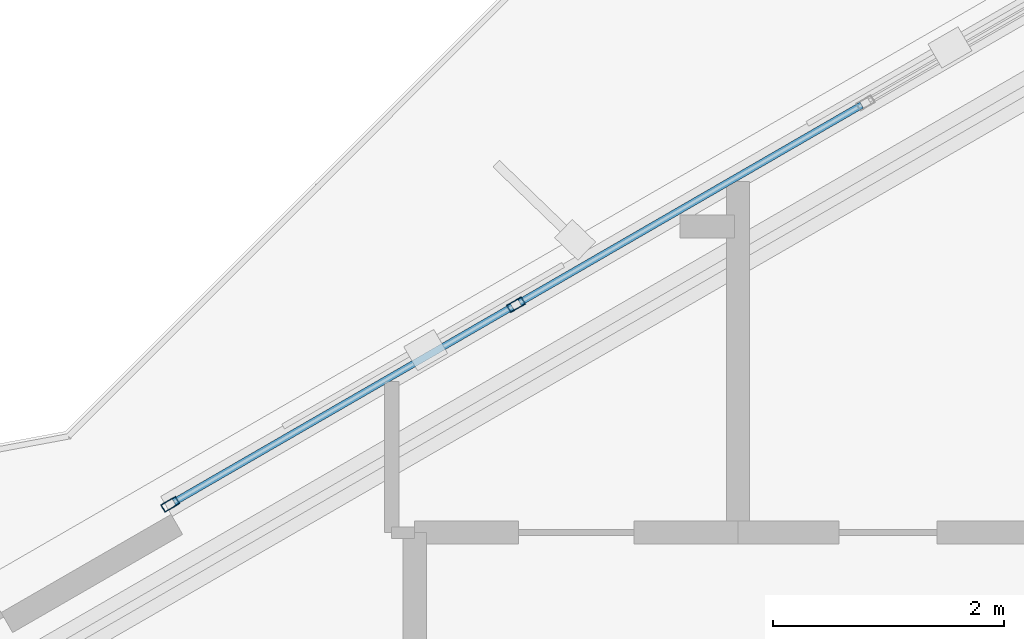
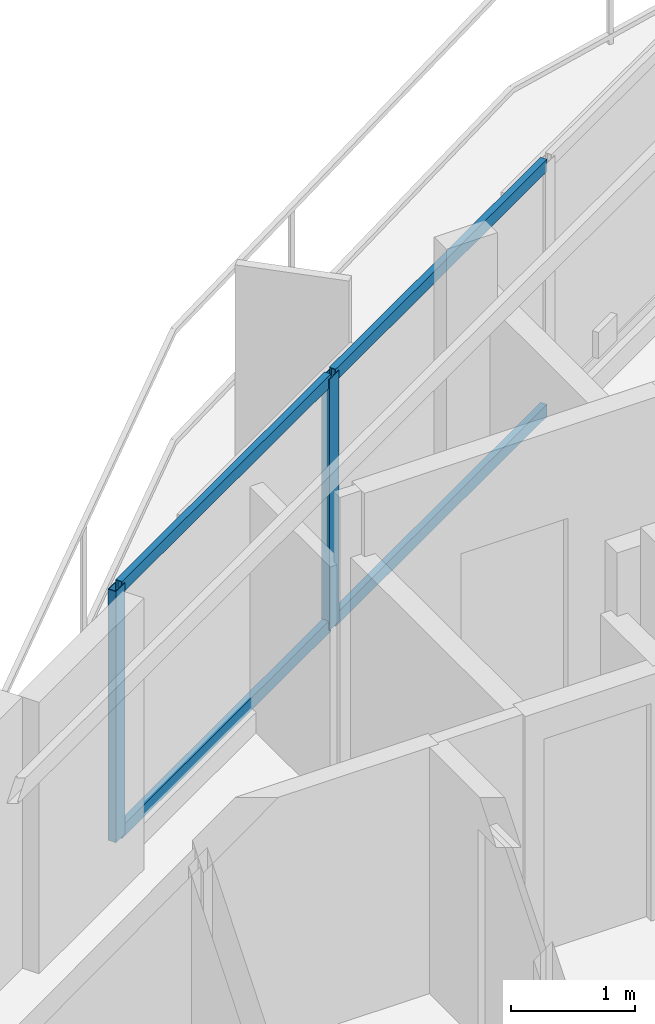
# One storey, part 5 of 19: 6 members, 1 element without a shape of its own.
"""IFC4 building model written with IfcOpenShell, lengths in metres."""

import ifcopenshell
import ifcopenshell.guid

model = None  # the IFC model being written
_history = None  # IfcOwnerHistory: only IFC2X3 demands one
_inside = {}  # id of a spatial element -> (the spatial element, [elements in it])
_under = {}  # id of a project, library or spatial element -> (it, [spatial elements below it])
_declared = {}  # id of a project -> (the project, [libraries it declares])
_typed = {}  # id of a type object -> (the type object, [elements of that type])
_made_of = {}  # id of a material, layer set ... -> (it, [elements and type objects made of it])


def new_model(schema):
    """Start an empty IFC model of exactly this schema.

    Asked for "IFC4X3", IfcOpenShell would pick the latest addendum, in which some entities
    have other attributes; the version numbers below select the first issue.
    IFC2X3 requires an IfcOwnerHistory on every rooted entity: one is made here for all.
    """
    global model, _history
    if schema == "IFC4X3":
        model = ifcopenshell.file(schema_version=(4, 3, 0, 0))
    else:
        model = ifcopenshell.file(schema=schema)
    _inside.clear()
    _under.clear()
    _declared.clear()
    _typed.clear()
    _made_of.clear()
    _history = None
    if model.schema == "IFC2X3":
        org = make("IfcOrganization", Name="unknown")
        user = make(
            "IfcPersonAndOrganization",
            ThePerson=make("IfcPerson", FamilyName="unknown"),
            TheOrganization=org,
        )
        app = make(
            "IfcApplication",
            ApplicationDeveloper=org,
            Version="unknown",
            ApplicationFullName="unknown",
            ApplicationIdentifier="unknown",
        )
        _history = make(
            "IfcOwnerHistory",
            OwningUser=user,
            OwningApplication=app,
            ChangeAction="ADDED",
            CreationDate=0,
        )
    return model


def make(cls, **values):
    """One entity of the class cls with the attributes given. An attribute that is None is left unset."""
    return model.create_entity(
        cls, **{name: value for name, value in values.items() if value is not None}
    )


def rooted(cls, **values):
    """An entity with a GlobalId (a new one), such as an element, a storey or a relation."""
    return make(cls, GlobalId=ifcopenshell.guid.new(), OwnerHistory=_history, **values)


def si_unit(unit_type, name, prefix=None):
    """IfcSIUnit, for example si_unit("LENGTHUNIT", "METRE", prefix="MILLI")."""
    return make("IfcSIUnit", UnitType=unit_type, Prefix=prefix, Name=name)


def assignment(units):
    """IfcUnitAssignment: the units of a project."""
    return None if units is None else make("IfcUnitAssignment", Units=units)


def point(xyz):
    """IfcCartesianPoint."""
    return None if xyz is None else make("IfcCartesianPoint", Coordinates=xyz)


def direction(xyz):
    """IfcDirection."""
    return None if xyz is None else make("IfcDirection", DirectionRatios=xyz)


def frame(location, z_axis=None, x_axis=None):
    """IfcAxis2Placement3D, a coordinate frame: its origin and axes. An axis left out is left unset."""
    return make(
        "IfcAxis2Placement3D",
        Location=point(location),
        Axis=direction(z_axis),
        RefDirection=direction(x_axis),
    )


def frame_2d(location, x_axis=None):
    """IfcAxis2Placement2D, a coordinate frame in the plane: its origin and x axis."""
    return make(
        "IfcAxis2Placement2D", Location=point(location), RefDirection=direction(x_axis)
    )


def origin():
    """The frame at (0, 0, 0) with its axes left unset."""
    return frame((0.0, 0.0, 0.0))


def origin_2d():
    """The frame at (0, 0) in the plane with its x axis left unset."""
    return frame_2d((0.0, 0.0))


def place(relative_to, where):
    """IfcLocalPlacement: puts the frame where relative to a parent placement (None: the world)."""
    return make(
        "IfcLocalPlacement", PlacementRelTo=relative_to, RelativePlacement=where
    )


def context(
    kind, dimensions, precision=None, world=None, true_north=None, identifier=None
):
    """IfcGeometricRepresentationContext, for example the 3D "Model" context."""
    return make(
        "IfcGeometricRepresentationContext",
        ContextIdentifier=identifier,
        ContextType=kind,
        CoordinateSpaceDimension=dimensions,
        Precision=precision,
        WorldCoordinateSystem=world,
        TrueNorth=true_north,
    )


def subcontext(parent, identifier, kind, view, scale=None):
    """IfcGeometricRepresentationSubContext, for example "Body" below "Model"."""
    return make(
        "IfcGeometricRepresentationSubContext",
        ContextIdentifier=identifier,
        ContextType=kind,
        ParentContext=parent,
        TargetScale=scale,
        TargetView=view,
    )


def project(units=None, contexts=None):
    """IfcProject with its units and contexts."""
    return rooted(
        "IfcProject",
        Name="project",
        RepresentationContexts=contexts,
        UnitsInContext=assignment(units),
    )


def spatial(cls, under=None, at=None, **own):
    """A site, building, storey or space (cls), placed at a placement, below another one or the project."""
    s = rooted(cls, ObjectPlacement=at, **own)
    if under is not None:
        _under.setdefault(under.id(), (under, []))[1].append(s)
    return s


def profile(cls, at=None, kind="AREA", **sizes):
    """A parametric profile (cls). Its sizes go by their IFC names, for example OverallWidth=200.0."""
    return make(cls, ProfileType=kind, Position=at, **sizes)


def hollow_rectangle(**sizes):
    """IfcRectangleHollowProfileDef."""
    return profile("IfcRectangleHollowProfileDef", **sizes)


def extrude(swept, where, along, depth):
    """IfcExtrudedAreaSolid: the profile swept, set in the frame where, extruded along a direction by depth."""
    return make(
        "IfcExtrudedAreaSolid",
        SweptArea=swept,
        Position=where,
        ExtrudedDirection=direction(along),
        Depth=depth,
    )


def shape(context_of_items, identifier, shape_type, items):
    """IfcShapeRepresentation: the items that make up one representation, for example the "Body"."""
    return make(
        "IfcShapeRepresentation",
        ContextOfItems=context_of_items,
        RepresentationIdentifier=identifier,
        RepresentationType=shape_type,
        Items=items,
    )


def material(Name=None, Category=None):
    """IfcMaterial."""
    return make("IfcMaterial", Name=Name, Category=Category)


def layer(
    of_material, thickness, ventilated=None, Name=None, Category=None, Priority=None
):
    """IfcMaterialLayer: one layer of a wall or slab, of a material (None: an air gap)."""
    return make(
        "IfcMaterialLayer",
        Material=of_material,
        LayerThickness=thickness,
        IsVentilated=ventilated,
        Name=Name,
        Category=Category,
        Priority=Priority,
    )


def layer_set(layers, Name=None):
    """IfcMaterialLayerSet."""
    return make("IfcMaterialLayerSet", MaterialLayers=layers, LayerSetName=Name)


def material_profile(
    of_material, cross_section, Name=None, Category=None, Priority=None
):
    """IfcMaterialProfile: a cross section and its material."""
    return make(
        "IfcMaterialProfile",
        Name=Name,
        Material=of_material,
        Profile=cross_section,
        Priority=Priority,
        Category=Category,
    )


def profile_set(profiles, Name=None, composite=None):
    """IfcMaterialProfileSet."""
    return make(
        "IfcMaterialProfileSet",
        Name=Name,
        MaterialProfiles=profiles,
        CompositeProfile=composite,
    )


def made_of(thing, what):
    """Note that an element or type object is made of a material, layer set ...; save() writes the relation."""
    if what is not None:
        _made_of.setdefault(what.id(), (what, []))[1].append(thing)
    return thing


def type_object(cls, material=None, **own):
    """A type object (cls), such as IfcWallType, which elements share."""
    return made_of(rooted(cls, **own), material)


def element(
    cls,
    number,
    at=None,
    inside=None,
    cuts=None,
    type_object=None,
    material=None,
    context=None,
    identifier="Body",
    shape_type=None,
    held_by="IfcProductDefinitionShape",
    body=None,
    shapes=None,
    **own,
):
    """One element of the class cls, such as IfcWall. Its Tag is "e" and its number.

    at: its placement. inside: the storey or other place that contains it. cuts: it is an
    opening in that element (IfcRelVoidsElement). A single representation is given by context,
    identifier, shape_type and body (its items); several are given by shapes. held_by: the class
    of the entity that holds the representations. save() writes the other relations.
    """
    e = rooted(cls, Tag="e%d" % number, ObjectPlacement=at, **own)
    if body is not None:
        shapes = [shape(context, identifier, shape_type, body)]
    if shapes is not None:
        e.Representation = make(held_by, Representations=shapes)
    if inside is not None:
        _inside.setdefault(inside.id(), (inside, []))[1].append(e)
    if cuts is not None:
        rooted(
            "IfcRelVoidsElement", RelatingBuildingElement=cuts, RelatedOpeningElement=e
        )
    if type_object is not None:
        _typed.setdefault(type_object.id(), (type_object, []))[1].append(e)
    return made_of(e, material)


def aggregate(whole, parts):
    """IfcRelAggregates: a whole, such as a stair, and the parts it consists of."""
    return rooted("IfcRelAggregates", RelatingObject=whole, RelatedObjects=parts)


def save(model, path):
    """Write the relations noted so far, then the file.

    IfcRelAggregates (storeys below a building ...), IfcRelContainedInSpatialStructure (elements
    in a storey), IfcRelDefinesByType, IfcRelAssociatesMaterial and IfcRelDeclares: one each for
    every whole, place, type object, material and project.
    """
    for whole, parts in _under.values():
        aggregate(whole, parts)
    for where, things in _inside.values():
        rooted(
            "IfcRelContainedInSpatialStructure",
            RelatedElements=things,
            RelatingStructure=where,
        )
    for kind, things in _typed.values():
        rooted("IfcRelDefinesByType", RelatedObjects=things, RelatingType=kind)
    for what, things in _made_of.values():
        rooted("IfcRelAssociatesMaterial", RelatedObjects=things, RelatingMaterial=what)
    for by, libraries in _declared.values():
        rooted("IfcRelDeclares", RelatingContext=by, RelatedDefinitions=libraries)
    model.write(path)


model = new_model("IFC4")

# Units and contexts
model_context = context("Model", 3, precision=1e-05, world=origin(), true_north=direction((0.0, 1.0)))
body_context = subcontext(model_context, "Body", "Model", "MODEL_VIEW")
ifc_project = project(units=[si_unit("LENGTHUNIT", "METRE"), si_unit("AREAUNIT", "SQUARE_METRE"), si_unit("VOLUMEUNIT", "CUBIC_METRE"), si_unit("PLANEANGLEUNIT", "RADIAN"), si_unit("MASSUNIT", "GRAM", prefix="KILO")], contexts=[model_context])

# Site, building, storey
site_placement = place(None, origin())
site = spatial("IfcSite", under=ifc_project, at=site_placement, CompositionType="ELEMENT")
building_placement = place(site_placement, origin())
building = spatial("IfcBuilding", under=site, at=building_placement, Name="Mersakhor Tower and Convention Hall", CompositionType="ELEMENT")
storey_placement = place(building_placement, frame((0.0, 0.0, 144.300048828125)))
storey = spatial("IfcBuildingStorey", under=building, at=storey_placement, Name="L40", CompositionType="ELEMENT", Elevation=144.300048828125)

# Curtain wall, members
ifc_material_1 = material(Name="Dark solar low-E aluminium curtain wall", Category="aluminium")
ifc_layer = layer(ifc_material_1, 0.169921875)
ifc_layer_set = layer_set([ifc_layer], Name="Dark solar low-E aluminium curtain wall")
curtain_wall_type = type_object("IfcCurtainWallType", Name="CW-SYS-02", PredefinedType="USERDEFINED", material=ifc_layer_set)
curtain_wall_placement = place(storey_placement, origin())
curtain_wall = element("IfcCurtainWall", 1, at=curtain_wall_placement, inside=storey, type_object=curtain_wall_type, Name="L40 Dark-Glass Curtain Wall F1-B2", ObjectType="CURTAIN WALL", PredefinedType="USERDEFINED")
ifc_material_2 = material(Name="Anodised aluminium EN AW-6063 T6", Category="aluminium")
ifc_material_profile_1 = material_profile(ifc_material_2, hollow_rectangle(XDim=0.074951171875, YDim=0.14990234375, WallThickness=0.00634765625, at=origin_2d()), Name="RHS 150x75x6.3")
ifc_profile_set_1 = profile_set([ifc_material_profile_1], Name="Anodised aluminium EN AW-6063 T6")
member_type_1 = type_object("IfcMemberType", Name="CWM-150x75", PredefinedType="MULLION", material=ifc_profile_set_1)
member_1_placement = place(storey_placement, frame((17.88232421875, 35.595458984375, 0.199951171875), z_axis=(0.0, 0.0, 1.0), x_axis=(-0.499990468363, 0.866030906807, 0.0)))
member_1 = element("IfcMember", 2, at=member_1_placement, type_object=member_type_1, Name="CW-02 mullion 1", PredefinedType="MULLION", context=body_context, shape_type="SweptSolid", body=[
    extrude(hollow_rectangle(XDim=0.074951171875, YDim=0.14990234375, WallThickness=0.00634765625, at=origin_2d()), origin(), (0.0, 0.0, 1.0), 2.47998046875),
])
member_2_placement = place(storey_placement, frame((20.876953125, 37.32421875, 0.199951171875), z_axis=(0.0, 0.0, 1.0), x_axis=(-0.499990468363, 0.866030906807, 0.0)))
member_2 = element("IfcMember", 3, at=member_2_placement, type_object=member_type_1, Name="CW-02 mullion 2", PredefinedType="MULLION", context=body_context, shape_type="SweptSolid", body=[
    extrude(hollow_rectangle(XDim=0.074951171875, YDim=0.14990234375, WallThickness=0.00634765625, at=origin_2d()), origin(), (0.0, 0.0, 1.0), 2.47998046875),
])
ifc_material_3 = material(Name="Anodised aluminium EN AW-6063 T6", Category="aluminium")
ifc_material_profile_2 = material_profile(ifc_material_3, hollow_rectangle(XDim=0.06005859375, YDim=0.1201171875, WallThickness=0.0048828125, at=origin_2d()), Name="RHS 120x60x5")
ifc_profile_set_2 = profile_set([ifc_material_profile_2], Name="Anodised aluminium EN AW-6063 T6")
member_type_2 = type_object("IfcMemberType", Name="CWT-120x60", PredefinedType="USERDEFINED", material=ifc_profile_set_2)
member_3_placement = place(storey_placement, frame((17.914794921875, 35.6142578125, 0.22998046875), z_axis=(0.866031754707, 0.499988999718, 0.0), x_axis=(-0.499988999718, 0.866031754707, 0.0)))
member_3 = element("IfcMember", 4, at=member_3_placement, type_object=member_type_2, Name="CW-02 transom 1.1", ObjectType="TRANSOM", PredefinedType="USERDEFINED", context=body_context, shape_type="SweptSolid", body=[
    extrude(hollow_rectangle(XDim=0.06005859375, YDim=0.1201171875, WallThickness=0.0048828125, at=origin_2d()), origin(), (0.0, 0.0, 1.0), 3.3828125),
])
member_4_placement = place(storey_placement, frame((17.914794921875, 35.6142578125, 2.64990234375), z_axis=(0.866031754707, 0.499988999718, 0.0), x_axis=(-0.499988999718, 0.866031754707, 0.0)))
member_4 = element("IfcMember", 5, at=member_4_placement, type_object=member_type_2, Name="CW-02 transom 1.2", ObjectType="TRANSOM", PredefinedType="USERDEFINED", context=body_context, shape_type="SweptSolid", body=[
    extrude(hollow_rectangle(XDim=0.06005859375, YDim=0.1201171875, WallThickness=0.0048828125, at=origin_2d()), origin(), (0.0, 0.0, 1.0), 3.3828125),
])
member_5_placement = place(storey_placement, frame((20.909423828125, 37.343017578125, 0.22998046875), z_axis=(0.866007273829, 0.50003140069, 0.0), x_axis=(-0.50003140069, 0.866007273829, 0.0)))
member_5 = element("IfcMember", 6, at=member_5_placement, type_object=member_type_2, Name="CW-02 transom 2.1", ObjectType="TRANSOM", PredefinedType="USERDEFINED", context=body_context, shape_type="SweptSolid", body=[
    extrude(hollow_rectangle(XDim=0.06005859375, YDim=0.1201171875, WallThickness=0.0048828125, at=origin_2d()), origin(), (0.0, 0.0, 1.0), 3.420166015625),
])
member_6_placement = place(storey_placement, frame((20.909423828125, 37.343017578125, 2.64990234375), z_axis=(0.866007273829, 0.50003140069, 0.0), x_axis=(-0.50003140069, 0.866007273829, 0.0)))
member_6 = element("IfcMember", 7, at=member_6_placement, type_object=member_type_2, Name="CW-02 transom 2.2", ObjectType="TRANSOM", PredefinedType="USERDEFINED", context=body_context, shape_type="SweptSolid", body=[
    extrude(hollow_rectangle(XDim=0.06005859375, YDim=0.1201171875, WallThickness=0.0048828125, at=origin_2d()), origin(), (0.0, 0.0, 1.0), 3.420166015625),
])
aggregate(curtain_wall, [member_1, member_2, member_3, member_4, member_5, member_6])

save(model, "model.ifc")
